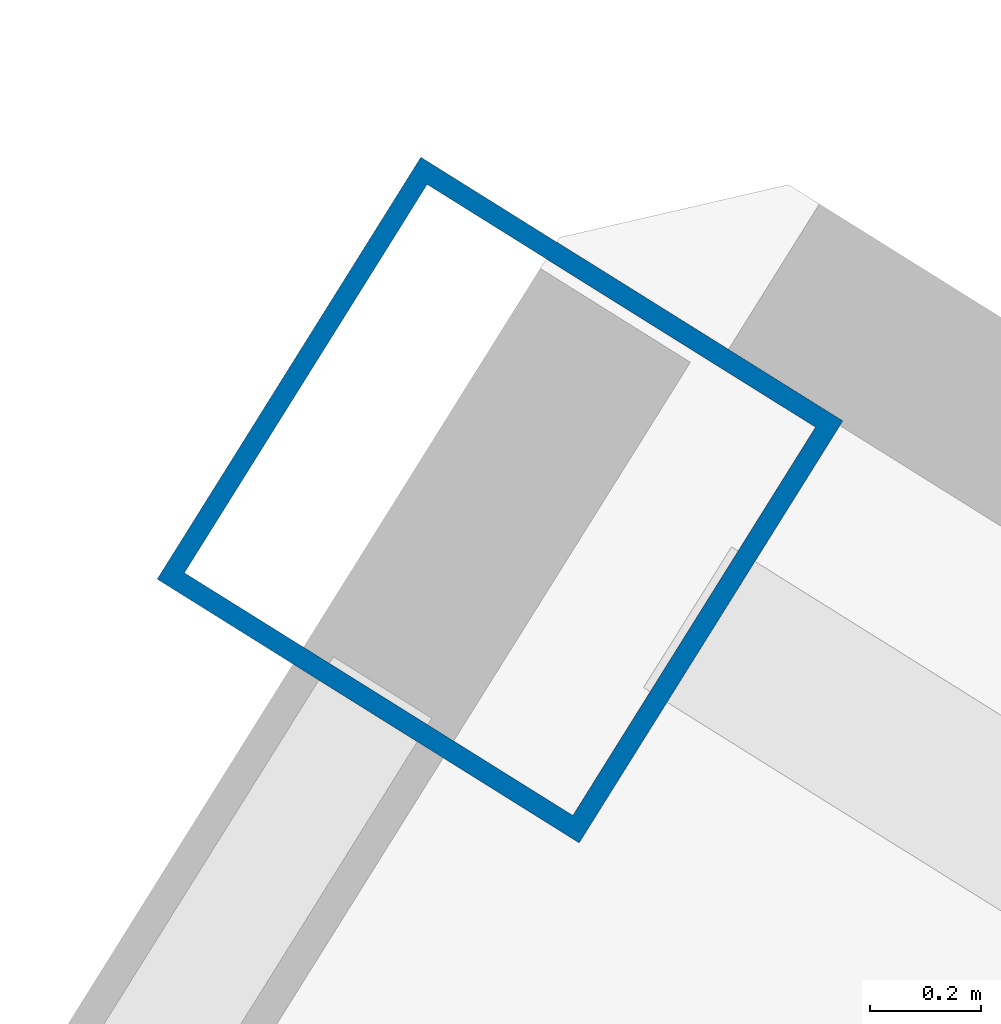
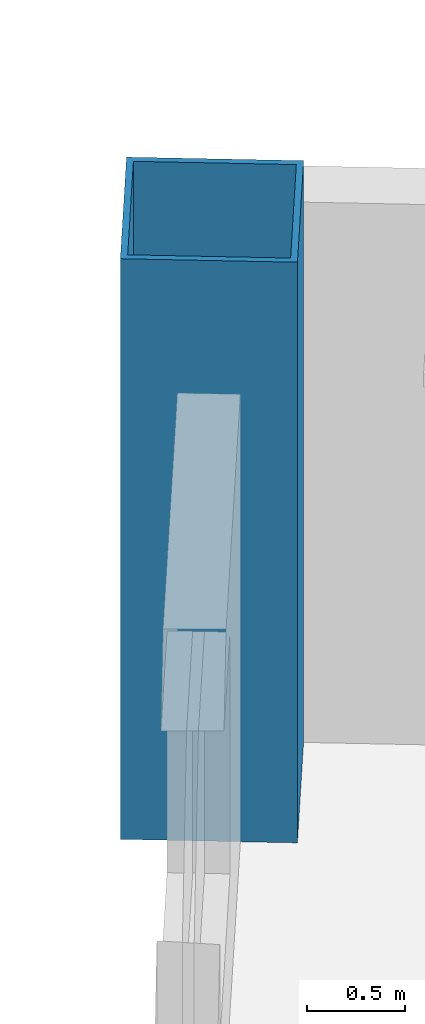
# One storey, part 3 of 19: 1 column.
"""IFC4 building model written with IfcOpenShell, lengths in metres."""

import ifcopenshell
import ifcopenshell.guid

model = None  # the IFC model being written
_history = None  # IfcOwnerHistory: only IFC2X3 demands one
_inside = {}  # id of a spatial element -> (the spatial element, [elements in it])
_under = {}  # id of a project, library or spatial element -> (it, [spatial elements below it])
_declared = {}  # id of a project -> (the project, [libraries it declares])
_typed = {}  # id of a type object -> (the type object, [elements of that type])
_made_of = {}  # id of a material, layer set ... -> (it, [elements and type objects made of it])


def new_model(schema):
    """Start an empty IFC model of exactly this schema.

    Asked for "IFC4X3", IfcOpenShell would pick the latest addendum, in which some entities
    have other attributes; the version numbers below select the first issue.
    IFC2X3 requires an IfcOwnerHistory on every rooted entity: one is made here for all.
    """
    global model, _history
    if schema == "IFC4X3":
        model = ifcopenshell.file(schema_version=(4, 3, 0, 0))
    else:
        model = ifcopenshell.file(schema=schema)
    _inside.clear()
    _under.clear()
    _declared.clear()
    _typed.clear()
    _made_of.clear()
    _history = None
    if model.schema == "IFC2X3":
        org = make("IfcOrganization", Name="unknown")
        user = make(
            "IfcPersonAndOrganization",
            ThePerson=make("IfcPerson", FamilyName="unknown"),
            TheOrganization=org,
        )
        app = make(
            "IfcApplication",
            ApplicationDeveloper=org,
            Version="unknown",
            ApplicationFullName="unknown",
            ApplicationIdentifier="unknown",
        )
        _history = make(
            "IfcOwnerHistory",
            OwningUser=user,
            OwningApplication=app,
            ChangeAction="ADDED",
            CreationDate=0,
        )
    return model


def make(cls, **values):
    """One entity of the class cls with the attributes given. An attribute that is None is left unset."""
    return model.create_entity(
        cls, **{name: value for name, value in values.items() if value is not None}
    )


def rooted(cls, **values):
    """An entity with a GlobalId (a new one), such as an element, a storey or a relation."""
    return make(cls, GlobalId=ifcopenshell.guid.new(), OwnerHistory=_history, **values)


def si_unit(unit_type, name, prefix=None):
    """IfcSIUnit, for example si_unit("LENGTHUNIT", "METRE", prefix="MILLI")."""
    return make("IfcSIUnit", UnitType=unit_type, Prefix=prefix, Name=name)


def assignment(units):
    """IfcUnitAssignment: the units of a project."""
    return None if units is None else make("IfcUnitAssignment", Units=units)


def point(xyz):
    """IfcCartesianPoint."""
    return None if xyz is None else make("IfcCartesianPoint", Coordinates=xyz)


def direction(xyz):
    """IfcDirection."""
    return None if xyz is None else make("IfcDirection", DirectionRatios=xyz)


def frame(location, z_axis=None, x_axis=None):
    """IfcAxis2Placement3D, a coordinate frame: its origin and axes. An axis left out is left unset."""
    return make(
        "IfcAxis2Placement3D",
        Location=point(location),
        Axis=direction(z_axis),
        RefDirection=direction(x_axis),
    )


def frame_2d(location, x_axis=None):
    """IfcAxis2Placement2D, a coordinate frame in the plane: its origin and x axis."""
    return make(
        "IfcAxis2Placement2D", Location=point(location), RefDirection=direction(x_axis)
    )


def origin():
    """The frame at (0, 0, 0) with its axes left unset."""
    return frame((0.0, 0.0, 0.0))


def origin_2d():
    """The frame at (0, 0) in the plane with its x axis left unset."""
    return frame_2d((0.0, 0.0))


def place(relative_to, where):
    """IfcLocalPlacement: puts the frame where relative to a parent placement (None: the world)."""
    return make(
        "IfcLocalPlacement", PlacementRelTo=relative_to, RelativePlacement=where
    )


def context(
    kind, dimensions, precision=None, world=None, true_north=None, identifier=None
):
    """IfcGeometricRepresentationContext, for example the 3D "Model" context."""
    return make(
        "IfcGeometricRepresentationContext",
        ContextIdentifier=identifier,
        ContextType=kind,
        CoordinateSpaceDimension=dimensions,
        Precision=precision,
        WorldCoordinateSystem=world,
        TrueNorth=true_north,
    )


def subcontext(parent, identifier, kind, view, scale=None):
    """IfcGeometricRepresentationSubContext, for example "Body" below "Model"."""
    return make(
        "IfcGeometricRepresentationSubContext",
        ContextIdentifier=identifier,
        ContextType=kind,
        ParentContext=parent,
        TargetScale=scale,
        TargetView=view,
    )


def project(units=None, contexts=None):
    """IfcProject with its units and contexts."""
    return rooted(
        "IfcProject",
        Name="project",
        RepresentationContexts=contexts,
        UnitsInContext=assignment(units),
    )


def spatial(cls, under=None, at=None, **own):
    """A site, building, storey or space (cls), placed at a placement, below another one or the project."""
    s = rooted(cls, ObjectPlacement=at, **own)
    if under is not None:
        _under.setdefault(under.id(), (under, []))[1].append(s)
    return s


def profile(cls, at=None, kind="AREA", **sizes):
    """A parametric profile (cls). Its sizes go by their IFC names, for example OverallWidth=200.0."""
    return make(cls, ProfileType=kind, Position=at, **sizes)


def hollow_rectangle(**sizes):
    """IfcRectangleHollowProfileDef."""
    return profile("IfcRectangleHollowProfileDef", **sizes)


def extrude(swept, where, along, depth):
    """IfcExtrudedAreaSolid: the profile swept, set in the frame where, extruded along a direction by depth."""
    return make(
        "IfcExtrudedAreaSolid",
        SweptArea=swept,
        Position=where,
        ExtrudedDirection=direction(along),
        Depth=depth,
    )


def shape(context_of_items, identifier, shape_type, items):
    """IfcShapeRepresentation: the items that make up one representation, for example the "Body"."""
    return make(
        "IfcShapeRepresentation",
        ContextOfItems=context_of_items,
        RepresentationIdentifier=identifier,
        RepresentationType=shape_type,
        Items=items,
    )


def source(mapping_origin, context_of_items, identifier, shape_type, items):
    """IfcRepresentationMap: a shape defined once, which mapped items show again and again."""
    return make(
        "IfcRepresentationMap",
        MappingOrigin=mapping_origin,
        MappedRepresentation=shape(context_of_items, identifier, shape_type, items),
    )


def transform(
    local_origin,
    x_axis=None,
    y_axis=None,
    z_axis=None,
    scale=None,
    scale2=None,
    scale3=None,
    uniform=True,
):
    """IfcCartesianTransformationOperator3D, or its non-uniform kind. x_axis, y_axis, z_axis: its Axis1, 2, 3."""
    if uniform:
        return make(
            "IfcCartesianTransformationOperator3D",
            Axis1=direction(x_axis),
            Axis2=direction(y_axis),
            LocalOrigin=point(local_origin),
            Scale=scale,
            Axis3=direction(z_axis),
        )
    return make(
        "IfcCartesianTransformationOperator3DnonUniform",
        Axis1=direction(x_axis),
        Axis2=direction(y_axis),
        LocalOrigin=point(local_origin),
        Scale=scale,
        Axis3=direction(z_axis),
        Scale2=scale2,
        Scale3=scale3,
    )


def mapped(mapping_source, mapping_target):
    """IfcMappedItem: shows the shape of a source again, moved by a transform."""
    return make(
        "IfcMappedItem", MappingSource=mapping_source, MappingTarget=mapping_target
    )


def material(Name=None, Category=None):
    """IfcMaterial."""
    return make("IfcMaterial", Name=Name, Category=Category)


def material_profile(
    of_material, cross_section, Name=None, Category=None, Priority=None
):
    """IfcMaterialProfile: a cross section and its material."""
    return make(
        "IfcMaterialProfile",
        Name=Name,
        Material=of_material,
        Profile=cross_section,
        Priority=Priority,
        Category=Category,
    )


def profile_set(profiles, Name=None, composite=None):
    """IfcMaterialProfileSet."""
    return make(
        "IfcMaterialProfileSet",
        Name=Name,
        MaterialProfiles=profiles,
        CompositeProfile=composite,
    )


def made_of(thing, what):
    """Note that an element or type object is made of a material, layer set ...; save() writes the relation."""
    if what is not None:
        _made_of.setdefault(what.id(), (what, []))[1].append(thing)
    return thing


def type_object(cls, material=None, **own):
    """A type object (cls), such as IfcWallType, which elements share."""
    return made_of(rooted(cls, **own), material)


def element(
    cls,
    number,
    at=None,
    inside=None,
    cuts=None,
    type_object=None,
    material=None,
    context=None,
    identifier="Body",
    shape_type=None,
    held_by="IfcProductDefinitionShape",
    body=None,
    shapes=None,
    **own,
):
    """One element of the class cls, such as IfcWall. Its Tag is "e" and its number.

    at: its placement. inside: the storey or other place that contains it. cuts: it is an
    opening in that element (IfcRelVoidsElement). A single representation is given by context,
    identifier, shape_type and body (its items); several are given by shapes. held_by: the class
    of the entity that holds the representations. save() writes the other relations.
    """
    e = rooted(cls, Tag="e%d" % number, ObjectPlacement=at, **own)
    if body is not None:
        shapes = [shape(context, identifier, shape_type, body)]
    if shapes is not None:
        e.Representation = make(held_by, Representations=shapes)
    if inside is not None:
        _inside.setdefault(inside.id(), (inside, []))[1].append(e)
    if cuts is not None:
        rooted(
            "IfcRelVoidsElement", RelatingBuildingElement=cuts, RelatedOpeningElement=e
        )
    if type_object is not None:
        _typed.setdefault(type_object.id(), (type_object, []))[1].append(e)
    return made_of(e, material)


def aggregate(whole, parts):
    """IfcRelAggregates: a whole, such as a stair, and the parts it consists of."""
    return rooted("IfcRelAggregates", RelatingObject=whole, RelatedObjects=parts)


def save(model, path):
    """Write the relations noted so far, then the file.

    IfcRelAggregates (storeys below a building ...), IfcRelContainedInSpatialStructure (elements
    in a storey), IfcRelDefinesByType, IfcRelAssociatesMaterial and IfcRelDeclares: one each for
    every whole, place, type object, material and project.
    """
    for whole, parts in _under.values():
        aggregate(whole, parts)
    for where, things in _inside.values():
        rooted(
            "IfcRelContainedInSpatialStructure",
            RelatedElements=things,
            RelatingStructure=where,
        )
    for kind, things in _typed.values():
        rooted("IfcRelDefinesByType", RelatedObjects=things, RelatingType=kind)
    for what, things in _made_of.values():
        rooted("IfcRelAssociatesMaterial", RelatedObjects=things, RelatingMaterial=what)
    for by, libraries in _declared.values():
        rooted("IfcRelDeclares", RelatingContext=by, RelatedDefinitions=libraries)
    model.write(path)


model = new_model("IFC4")

# Units and contexts
model_context = context("Model", 3, precision=1e-05, world=origin(), true_north=direction((0.0, 1.0)))
body_context = subcontext(model_context, "Body", "Model", "MODEL_VIEW")
ifc_project = project(units=[si_unit("LENGTHUNIT", "METRE"), si_unit("AREAUNIT", "SQUARE_METRE"), si_unit("VOLUMEUNIT", "CUBIC_METRE"), si_unit("PLANEANGLEUNIT", "RADIAN"), si_unit("MASSUNIT", "GRAM", prefix="KILO")], contexts=[model_context])

# Site, building, storey
site_placement = place(None, origin())
site = spatial("IfcSite", under=ifc_project, at=site_placement, CompositionType="ELEMENT")
building_placement = place(site_placement, origin())
building = spatial("IfcBuilding", under=site, at=building_placement, Name="Tlacorven Tower", CompositionType="ELEMENT")
storey_placement = place(building_placement, frame((0.0, 0.0, 147.89990234375)))
storey = spatial("IfcBuildingStorey", under=building, at=storey_placement, Name="L37", CompositionType="ELEMENT", Elevation=147.89990234375)

# Column
ifc_material = material(Name="Steel S460M", Category="steel")
ifc_material_profile = material_profile(ifc_material, hollow_rectangle(XDim=0.89990234375, YDim=0.89990234375, WallThickness=0.035888671875, at=origin_2d()), Name="BOX 900X900X36")
ifc_profile_set = profile_set([ifc_material_profile], Name="Steel S460M")
column_type = type_object("IfcColumnType", Name="COL-TWR-S2", PredefinedType="COLUMN", material=ifc_profile_set)
shared_shape = source(origin(), body_context, "Body", "SweptSolid", [
    extrude(hollow_rectangle(XDim=0.89990234375, YDim=0.89990234375, WallThickness=0.035888671875, at=origin_2d()), origin(), (0.0, 0.0, 1.0), 3.60009765625),
])
column_placement = place(storey_placement, frame((13.6455078125, 41.42578125, 0.0), z_axis=(0.0, 0.0, 1.0), x_axis=(-0.848048096156, 0.529919264233, 0.0)))
element("IfcColumn", 1, at=column_placement, inside=storey, type_object=column_type, Name="L37 column COL-L37-W6-1", PredefinedType="COLUMN", context=body_context, shape_type="MappedRepresentation", body=[
    mapped(shared_shape, transform((0.0, 0.0, 0.0), scale=1.0)),
])

save(model, "model.ifc")
